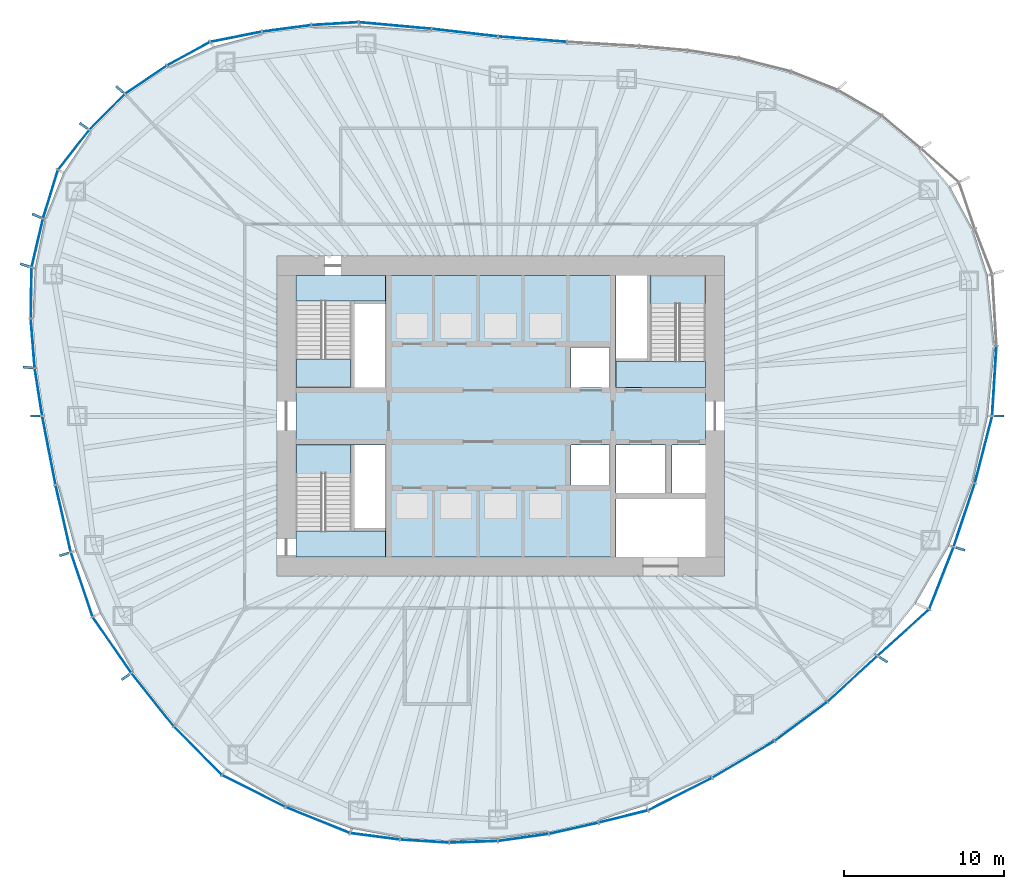
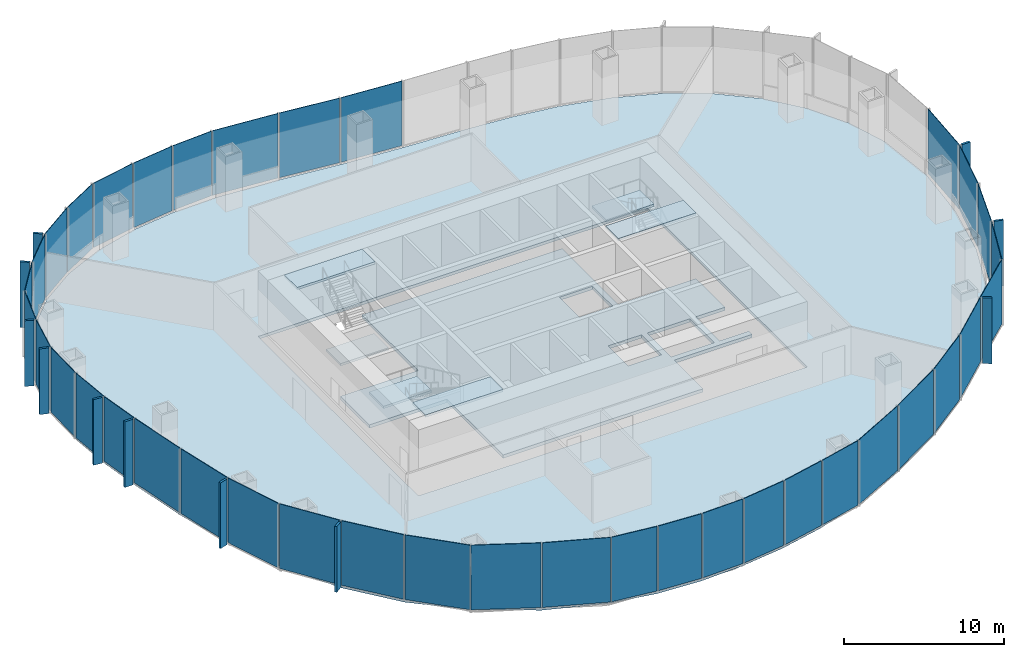
# One storey, part 7 of 18: 49 plates, 8 slabs, 20 elements without a shape of their own.
"""IFC4 building model written with IfcOpenShell, lengths in metres."""

from ifc_helpers import new_model, si_unit, direction, frame, origin, origin_2d, place, context, subcontext, project, spatial, polyline, rectangle, outline, extrude, material, layer, layer_set, type_object, element, aggregate, save


model = new_model("IFC4")

# Units and contexts
model_context = context("Model", 3, precision=1e-05, world=origin(), true_north=direction((0.0, 1.0)))
body_context = subcontext(model_context, "Body", "Model", "MODEL_VIEW")
ifc_project = project(units=[si_unit("LENGTHUNIT", "METRE"), si_unit("AREAUNIT", "SQUARE_METRE"), si_unit("VOLUMEUNIT", "CUBIC_METRE"), si_unit("PLANEANGLEUNIT", "RADIAN"), si_unit("MASSUNIT", "GRAM", prefix="KILO")], contexts=[model_context])

# Site, building, storey
site_placement = place(None, origin())
site = spatial("IfcSite", under=ifc_project, at=site_placement, CompositionType="ELEMENT")
building_placement = place(site_placement, origin())
building = spatial("IfcBuilding", under=site, at=building_placement, Name="Ghaith Harvest Tower", CompositionType="ELEMENT")
storey_placement = place(building_placement, frame((0.0, 0.0, 184.800048828125)))
storey = spatial("IfcBuildingStorey", under=building, at=storey_placement, Name="L40", CompositionType="ELEMENT", Elevation=184.800048828125)

# Curtain wall, plate
ifc_material_1 = material(Name="Black anodised aluminium and fritted glass", Category="aluminium")
curtain_wall_type = type_object("IfcCurtainWallType", Name="CW-S CURTAIN WALL", PredefinedType="NOTDEFINED", material=ifc_material_1)
curtain_wall_1_placement = place(storey_placement, origin())
curtain_wall_1 = element("IfcCurtainWall", 1, at=curtain_wall_1_placement, inside=storey, type_object=curtain_wall_type, Name="Curtain wall CW-S bay 01 L40", PredefinedType="NOTDEFINED")
ifc_material_2 = material(Name="Glass, dark solar-control fritted double glazed unit", Category="glass")
ifc_layer_1 = layer(ifc_material_2, 0.0400390625)
ifc_layer_set_1 = layer_set([ifc_layer_1], Name="CW-S VISION PANEL")
plate_type_1 = type_object("IfcPlateType", Name="CW-S VISION PANEL", PredefinedType="CURTAIN_PANEL", material=ifc_layer_set_1)
plate_1_placement = place(storey_placement, frame((30.86376953125, 2.19482421875, 0.080078125), z_axis=(0.0, 0.0, 1.0), x_axis=(0.061379619468, 0.99811449359, 0.0)))
plate_1 = element("IfcPlate", 2, at=plate_1_placement, type_object=plate_type_1, Name="CW-S glass unit 1 bay 01 L40", PredefinedType="CURTAIN_PANEL", context=body_context, shape_type="SweptSolid", body=[
    extrude(rectangle(XDim=4.318115234375, YDim=0.0400390625, at=origin_2d()), origin(), (0.0, 0.0, 1.0), 4.919921875),
])
aggregate(curtain_wall_1, [plate_1])

curtain_wall_2_placement = place(storey_placement, origin())
curtain_wall_2 = element("IfcCurtainWall", 3, at=curtain_wall_2_placement, inside=storey, type_object=curtain_wall_type, Name="Curtain wall CW-S bay 05 L40", PredefinedType="NOTDEFINED")
plate_2_placement = place(storey_placement, frame((1.9921875, 23.560302734375, 0.080078125), z_axis=(0.0, 0.0, 1.0), x_axis=(-0.996925121312, 0.078360082291, 0.0)))
plate_2 = element("IfcPlate", 4, at=plate_2_placement, type_object=plate_type_1, Name="CW-S glass unit 2 bay 05 L40", PredefinedType="CURTAIN_PANEL", context=body_context, shape_type="SweptSolid", body=[
    extrude(rectangle(XDim=4.242431640625, YDim=0.0400390625, at=origin_2d()), origin(), (0.0, 0.0, 1.0), 4.919921875),
])
aggregate(curtain_wall_2, [plate_2])

# Curtain wall, plates
curtain_wall_3_placement = place(storey_placement, origin())
curtain_wall_3 = element("IfcCurtainWall", 5, at=curtain_wall_3_placement, inside=storey, type_object=curtain_wall_type, Name="Curtain wall CW-S bay 06 L40", PredefinedType="NOTDEFINED")
plate_3_placement = place(storey_placement, frame((-2.24267578125, 23.968505859375, 0.080078125), z_axis=(0.0, 0.0, 1.0), x_axis=(-0.993477024646, 0.114032458099, 0.0)))
plate_3 = element("IfcPlate", 6, at=plate_3_placement, type_object=plate_type_1, Name="CW-S glass unit 1 bay 06 L40", PredefinedType="CURTAIN_PANEL", context=body_context, shape_type="SweptSolid", body=[
    extrude(rectangle(XDim=4.10791015625, YDim=0.0400390625, at=origin_2d()), origin(), (0.0, 0.0, 1.0), 4.919921875),
])
plate_4_placement = place(storey_placement, frame((-6.607666015625, 24.4140625, 0.080078125), z_axis=(0.0, 0.0, 1.0), x_axis=(-0.995928776302, 0.090143621701, 0.0)))
plate_4 = element("IfcPlate", 7, at=plate_4_placement, type_object=plate_type_1, Name="CW-S glass unit 2 bay 06 L40", PredefinedType="CURTAIN_PANEL", context=body_context, shape_type="SweptSolid", body=[
    extrude(rectangle(XDim=4.508056640625, YDim=0.0400390625, at=origin_2d()), origin(), (0.0, 0.0, 1.0), 4.919921875),
])
aggregate(curtain_wall_3, [plate_3, plate_4])

curtain_wall_4_placement = place(storey_placement, origin())
curtain_wall_4 = element("IfcCurtainWall", 8, at=curtain_wall_4_placement, inside=storey, type_object=curtain_wall_type, Name="Curtain wall CW-S bay 07 L40", PredefinedType="NOTDEFINED")
plate_5_placement = place(storey_placement, frame((-10.36669921875, 24.5302734375, 0.080078125), z_axis=(0.0, 0.0, 1.0), x_axis=(-0.998119199641, -0.061303044853, 0.0)))
plate_5 = element("IfcPlate", 9, at=plate_5_placement, type_object=plate_type_1, Name="CW-S glass unit 1 bay 07 L40", PredefinedType="CURTAIN_PANEL", context=body_context, shape_type="SweptSolid", body=[
    extrude(rectangle(XDim=2.874267578125, YDim=0.0400390625, at=origin_2d()), origin(), (0.0, 0.0, 1.0), 4.919921875),
])
plate_6_placement = place(storey_placement, frame((-13.382568359375, 24.23486328125, 0.080078125), z_axis=(0.0, 0.0, 1.0), x_axis=(-0.991285895369, -0.131728029071, 0.0)))
plate_6 = element("IfcPlate", 10, at=plate_6_placement, type_object=plate_type_1, Name="CW-S glass unit 2 bay 07 L40", PredefinedType="CURTAIN_PANEL", context=body_context, shape_type="SweptSolid", body=[
    extrude(rectangle(XDim=3.02978515625, YDim=0.0400390625, at=origin_2d()), origin(), (0.0, 0.0, 1.0), 4.919921875),
])
plate_7_placement = place(storey_placement, frame((-16.54443359375, 23.7099609375, 0.080078125), z_axis=(0.0, 0.0, 1.0), x_axis=(-0.981037550101, -0.193817763096, 0.0)))
plate_7 = element("IfcPlate", 11, at=plate_7_placement, type_object=plate_type_1, Name="CW-S glass unit 3 bay 07 L40", PredefinedType="CURTAIN_PANEL", context=body_context, shape_type="SweptSolid", body=[
    extrude(rectangle(XDim=3.22412109375, YDim=0.0400390625, at=origin_2d()), origin(), (0.0, 0.0, 1.0), 4.919921875),
])
aggregate(curtain_wall_4, [plate_5, plate_6, plate_7])

curtain_wall_5_placement = place(storey_placement, origin())
curtain_wall_5 = element("IfcCurtainWall", 12, at=curtain_wall_5_placement, inside=storey, type_object=curtain_wall_type, Name="Curtain wall CW-S bay 08 L40", PredefinedType="NOTDEFINED")
plate_8_placement = place(storey_placement, frame((-19.520263671875, 22.650634765625, 0.080078125), z_axis=(0.0, 0.0, 1.0), x_axis=(-0.877940384665, -0.478769966659, 0.0)))
plate_8 = element("IfcPlate", 13, at=plate_8_placement, type_object=plate_type_1, Name="CW-S glass unit 1 bay 08 L40", PredefinedType="CURTAIN_PANEL", context=body_context, shape_type="SweptSolid", body=[
    extrude(rectangle(XDim=3.007080078125, YDim=0.0400390625, at=origin_2d()), origin(), (0.0, 0.0, 1.0), 4.919921875),
])
plate_9_placement = place(storey_placement, frame((-22.182373046875, 21.025390625, 0.080078125), z_axis=(0.0, 0.0, 1.0), x_axis=(-0.827674847773, -0.561207935051, 0.0)))
plate_9 = element("IfcPlate", 14, at=plate_9_placement, type_object=plate_type_1, Name="CW-S glass unit 2 bay 08 L40", PredefinedType="CURTAIN_PANEL", context=body_context, shape_type="SweptSolid", body=[
    extrude(rectangle(XDim=3.078369140625, YDim=0.0400390625, at=origin_2d()), origin(), (0.0, 0.0, 1.0), 4.919921875),
])
plate_10_placement = place(storey_placement, frame((-24.603759765625, 19.01708984375, 0.080078125), z_axis=(0.0, 0.0, 1.0), x_axis=(-0.704613943896, -0.709590861037, 0.0)))
plate_10 = element("IfcPlate", 15, at=plate_10_placement, type_object=plate_type_1, Name="CW-S glass unit 3 bay 08 L40", PredefinedType="CURTAIN_PANEL", context=body_context, shape_type="SweptSolid", body=[
    extrude(rectangle(XDim=3.0830078125, YDim=0.0400390625, at=origin_2d()), origin(), (0.0, 0.0, 1.0), 4.919921875),
])
aggregate(curtain_wall_5, [plate_8, plate_9, plate_10])

curtain_wall_6_placement = place(storey_placement, origin())
curtain_wall_6 = element("IfcCurtainWall", 16, at=curtain_wall_6_placement, inside=storey, type_object=curtain_wall_type, Name="Curtain wall CW-S bay 09 L40", PredefinedType="NOTDEFINED")
plate_11_placement = place(storey_placement, frame((-26.69873046875, 16.644775390625, 0.080078125), z_axis=(0.0, 0.0, 1.0), x_axis=(-0.617140806324, -0.786852734106, 0.0)))
plate_11 = element("IfcPlate", 17, at=plate_11_placement, type_object=plate_type_1, Name="CW-S glass unit 1 bay 09 L40", PredefinedType="CURTAIN_PANEL", context=body_context, shape_type="SweptSolid", body=[
    extrude(rectangle(XDim=3.09765625, YDim=0.0400390625, at=origin_2d()), origin(), (0.0, 0.0, 1.0), 4.919921875),
])
plate_12_placement = place(storey_placement, frame((-28.14794921875, 13.869140625, 0.080078125), z_axis=(0.0, 0.0, 1.0), x_axis=(-0.293802674087, -0.955866093498, 0.0)))
plate_12 = element("IfcPlate", 18, at=plate_12_placement, type_object=plate_type_1, Name="CW-S glass unit 2 bay 09 L40", PredefinedType="CURTAIN_PANEL", context=body_context, shape_type="SweptSolid", body=[
    extrude(rectangle(XDim=3.111328125, YDim=0.0400390625, at=origin_2d()), origin(), (0.0, 0.0, 1.0), 4.919921875),
])
plate_13_placement = place(storey_placement, frame((-28.9716796875, 10.819091796875, 0.080078125), z_axis=(0.0, 0.0, 1.0), x_axis=(-0.226698962458, -0.973964876379, 0.0)))
plate_13 = element("IfcPlate", 19, at=plate_13_placement, type_object=plate_type_1, Name="CW-S glass unit 3 bay 09 L40", PredefinedType="CURTAIN_PANEL", context=body_context, shape_type="SweptSolid", body=[
    extrude(rectangle(XDim=3.05126953125, YDim=0.0400390625, at=origin_2d()), origin(), (0.0, 0.0, 1.0), 4.919921875),
])
aggregate(curtain_wall_6, [plate_11, plate_12, plate_13])

curtain_wall_7_placement = place(storey_placement, origin())
curtain_wall_7 = element("IfcCurtainWall", 20, at=curtain_wall_7_placement, inside=storey, type_object=curtain_wall_type, Name="Curtain wall CW-S bay 10 L40", PredefinedType="NOTDEFINED")
plate_14_placement = place(storey_placement, frame((-29.352294921875, 7.695068359375, 0.080078125), z_axis=(0.0, 0.0, 1.0), x_axis=(-0.016034106433, -0.999871445452, 0.0)))
plate_14 = element("IfcPlate", 21, at=plate_14_placement, type_object=plate_type_1, Name="CW-S glass unit 1 bay 10 L40", PredefinedType="CURTAIN_PANEL", context=body_context, shape_type="SweptSolid", body=[
    extrude(rectangle(XDim=3.118408203125, YDim=0.0400390625, at=origin_2d()), origin(), (0.0, 0.0, 1.0), 4.919921875),
])
plate_15_placement = place(storey_placement, frame((-29.25439453125, 4.54345703125, 0.080078125), z_axis=(0.0, 0.0, 1.0), x_axis=(0.079273335663, -0.996852917061, 0.0)))
plate_15 = element("IfcPlate", 22, at=plate_15_placement, type_object=plate_type_1, Name="CW-S glass unit 2 bay 10 L40", PredefinedType="CURTAIN_PANEL", context=body_context, shape_type="SweptSolid", body=[
    extrude(rectangle(XDim=3.035400390625, YDim=0.0400390625, at=origin_2d()), origin(), (0.0, 0.0, 1.0), 4.919921875),
])
plate_16_placement = place(storey_placement, frame((-28.896240234375, 1.495361328125, 0.080078125), z_axis=(0.0, 0.0, 1.0), x_axis=(0.155172175389, -0.987887440949, 0.0)))
plate_16 = element("IfcPlate", 23, at=plate_16_placement, type_object=plate_type_1, Name="CW-S glass unit 3 bay 10 L40", PredefinedType="CURTAIN_PANEL", context=body_context, shape_type="SweptSolid", body=[
    extrude(rectangle(XDim=2.947265625, YDim=0.0400390625, at=origin_2d()), origin(), (0.0, 0.0, 1.0), 4.919921875),
])
aggregate(curtain_wall_7, [plate_14, plate_15, plate_16])

curtain_wall_8_placement = place(storey_placement, origin())
curtain_wall_8 = element("IfcCurtainWall", 24, at=curtain_wall_8_placement, inside=storey, type_object=curtain_wall_type, Name="Curtain wall CW-S bay 11 L40", PredefinedType="NOTDEFINED")
plate_17_placement = place(storey_placement, frame((-28.24462890625, -2.152099609375, 0.080078125), z_axis=(0.0, 0.0, 1.0), x_axis=(0.190044913274, -0.981775397399, 0.0)))
plate_17 = element("IfcPlate", 25, at=plate_17_placement, type_object=plate_type_1, Name="CW-S glass unit 1 bay 11 L40", PredefinedType="CURTAIN_PANEL", context=body_context, shape_type="SweptSolid", body=[
    extrude(rectangle(XDim=4.303955078125, YDim=0.0400390625, at=origin_2d()), origin(), (0.0, 0.0, 1.0), 4.919921875),
])
plate_18_placement = place(storey_placement, frame((-27.351806640625, -6.41064453125, 0.080078125), z_axis=(0.0, 0.0, 1.0), x_axis=(0.220483469245, -0.975390711351, 0.0)))
plate_18 = element("IfcPlate", 26, at=plate_18_placement, type_object=plate_type_1, Name="CW-S glass unit 2 bay 11 L40", PredefinedType="CURTAIN_PANEL", context=body_context, shape_type="SweptSolid", body=[
    extrude(rectangle(XDim=4.239501953125, YDim=0.0400390625, at=origin_2d()), origin(), (0.0, 0.0, 1.0), 4.919921875),
])
aggregate(curtain_wall_8, [plate_17, plate_18])

curtain_wall_9_placement = place(storey_placement, origin())
curtain_wall_9 = element("IfcCurtainWall", 27, at=curtain_wall_9_placement, inside=storey, type_object=curtain_wall_type, Name="Curtain wall CW-S bay 12 L40", PredefinedType="NOTDEFINED")
plate_19_placement = place(storey_placement, frame((-26.194580078125, -10.537841796875, 0.080078125), z_axis=(0.0, 0.0, 1.0), x_axis=(0.319477383729, -0.947593901039, 0.0)))
plate_19 = element("IfcPlate", 28, at=plate_19_placement, type_object=plate_type_1, Name="CW-S glass unit 1 bay 12 L40", PredefinedType="CURTAIN_PANEL", context=body_context, shape_type="SweptSolid", body=[
    extrude(rectangle(XDim=4.184326171875, YDim=0.0400390625, at=origin_2d()), origin(), (0.0, 0.0, 1.0), 4.919921875),
])
plate_20_placement = place(storey_placement, frame((-24.3017578125, -14.312255859375, 0.080078125), z_axis=(0.0, 0.0, 1.0), x_axis=(0.568347699633, -0.822788485774, 0.0)))
plate_20 = element("IfcPlate", 29, at=plate_20_placement, type_object=plate_type_1, Name="CW-S glass unit 2 bay 12 L40", PredefinedType="CURTAIN_PANEL", context=body_context, shape_type="SweptSolid", body=[
    extrude(rectangle(XDim=4.18359375, YDim=0.0400390625, at=origin_2d()), origin(), (0.0, 0.0, 1.0), 4.919921875),
])
aggregate(curtain_wall_9, [plate_19, plate_20])

curtain_wall_10_placement = place(storey_placement, origin())
curtain_wall_10 = element("IfcCurtainWall", 30, at=curtain_wall_10_placement, inside=storey, type_object=curtain_wall_type, Name="Curtain wall CW-S bay 13 L40", PredefinedType="NOTDEFINED")
plate_21_placement = place(storey_placement, frame((-21.765625, -17.7314453125, 0.080078125), z_axis=(0.0, 0.0, 1.0), x_axis=(0.622507360482, -0.782613944513, 0.0)))
plate_21 = element("IfcPlate", 31, at=plate_21_placement, type_object=plate_type_1, Name="CW-S glass unit 1 bay 13 L40", PredefinedType="CURTAIN_PANEL", context=body_context, shape_type="SweptSolid", body=[
    extrude(rectangle(XDim=4.175537109375, YDim=0.0400390625, at=origin_2d()), origin(), (0.0, 0.0, 1.0), 4.919921875),
])
plate_22_placement = place(storey_placement, frame((-18.935791015625, -20.920166015625, 0.080078125), z_axis=(0.0, 0.0, 1.0), x_axis=(0.702843151286, -0.711344856375, 0.0)))
plate_22 = element("IfcPlate", 32, at=plate_22_placement, type_object=plate_type_1, Name="CW-S glass unit 2 bay 13 L40", PredefinedType="CURTAIN_PANEL", context=body_context, shape_type="SweptSolid", body=[
    extrude(rectangle(XDim=4.203369140625, YDim=0.0400390625, at=origin_2d()), origin(), (0.0, 0.0, 1.0), 4.919921875),
])
aggregate(curtain_wall_10, [plate_21, plate_22])

curtain_wall_11_placement = place(storey_placement, origin())
curtain_wall_11 = element("IfcCurtainWall", 33, at=curtain_wall_11_placement, inside=storey, type_object=curtain_wall_type, Name="Curtain wall CW-S bay 14 L40", PredefinedType="NOTDEFINED")
plate_23_placement = place(storey_placement, frame((-15.44677734375, -23.443115234375, 0.080078125), z_axis=(0.0, 0.0, 1.0), x_axis=(0.893062297869, -0.449933030712, 0.0)))
plate_23 = element("IfcPlate", 34, at=plate_23_placement, type_object=plate_type_1, Name="CW-S glass unit 1 bay 14 L40", PredefinedType="CURTAIN_PANEL", context=body_context, shape_type="SweptSolid", body=[
    extrude(rectangle(XDim=4.362548828125, YDim=0.0400390625, at=origin_2d()), origin(), (0.0, 0.0, 1.0), 4.919921875),
])
plate_24_placement = place(storey_placement, frame((-11.441162109375, -25.260498046875, 0.080078125), z_axis=(0.0, 0.0, 1.0), x_axis=(0.927002522537, -0.375055093567, 0.0)))
plate_24 = element("IfcPlate", 35, at=plate_24_placement, type_object=plate_type_1, Name="CW-S glass unit 2 bay 14 L40", PredefinedType="CURTAIN_PANEL", context=body_context, shape_type="SweptSolid", body=[
    extrude(rectangle(XDim=4.282470703125, YDim=0.0400390625, at=origin_2d()), origin(), (0.0, 0.0, 1.0), 4.919921875),
])
aggregate(curtain_wall_11, [plate_23, plate_24])

curtain_wall_12_placement = place(storey_placement, origin())
curtain_wall_12 = element("IfcCurtainWall", 36, at=curtain_wall_12_placement, inside=storey, type_object=curtain_wall_type, Name="Curtain wall CW-S bay 15 L40", PredefinedType="NOTDEFINED")
plate_25_placement = place(storey_placement, frame((-7.856689453125, -26.281005859375, 0.080078125), z_axis=(0.0, 0.0, 1.0), x_axis=(0.99172348392, -0.128392100386, 0.0)))
plate_25 = element("IfcPlate", 37, at=plate_25_placement, type_object=plate_type_1, Name="CW-S glass unit 1 bay 15 L40", PredefinedType="CURTAIN_PANEL", context=body_context, shape_type="SweptSolid", body=[
    extrude(rectangle(XDim=3.07080078125, YDim=0.0400390625, at=origin_2d()), origin(), (0.0, 0.0, 1.0), 4.919921875),
])
plate_26_placement = place(storey_placement, frame((-4.7568359375, -26.57958984375, 0.080078125), z_axis=(0.0, 0.0, 1.0), x_axis=(0.998038280843, -0.062606628824, 0.0)))
plate_26 = element("IfcPlate", 38, at=plate_26_placement, type_object=plate_type_1, Name="CW-S glass unit 2 bay 15 L40", PredefinedType="CURTAIN_PANEL", context=body_context, shape_type="SweptSolid", body=[
    extrude(rectangle(XDim=3.001220703125, YDim=0.0400390625, at=origin_2d()), origin(), (0.0, 0.0, 1.0), 4.919921875),
])
plate_27_placement = place(storey_placement, frame((-1.700439453125, -26.624755859375, 0.080078125), z_axis=(0.0, 0.0, 1.0), x_axis=(0.999431515426, 0.033714180603, 0.0)))
plate_27 = element("IfcPlate", 39, at=plate_27_placement, type_object=plate_type_1, Name="CW-S glass unit 3 bay 15 L40", PredefinedType="CURTAIN_PANEL", context=body_context, shape_type="SweptSolid", body=[
    extrude(rectangle(XDim=2.958984375, YDim=0.0400390625, at=origin_2d()), origin(), (0.0, 0.0, 1.0), 4.919921875),
])
aggregate(curtain_wall_12, [plate_25, plate_26, plate_27])

curtain_wall_13_placement = place(storey_placement, origin())
curtain_wall_13 = element("IfcCurtainWall", 40, at=curtain_wall_13_placement, inside=storey, type_object=curtain_wall_type, Name="Curtain wall CW-S bay 16 L40", PredefinedType="NOTDEFINED")
plate_28_placement = place(storey_placement, frame((1.4140625, -26.3515625, 0.080078125), z_axis=(0.0, 0.0, 1.0), x_axis=(0.990448098003, 0.137886058621, 0.0)))
plate_28 = element("IfcPlate", 41, at=plate_28_placement, type_object=plate_type_1, Name="CW-S glass unit 1 bay 16 L40", PredefinedType="CURTAIN_PANEL", context=body_context, shape_type="SweptSolid", body=[
    extrude(rectangle(XDim=3.142578125, YDim=0.0400390625, at=origin_2d()), origin(), (0.0, 0.0, 1.0), 4.919921875),
])
plate_29_placement = place(storey_placement, frame((4.565185546875, -25.77734375, 0.080078125), z_axis=(0.0, 0.0, 1.0), x_axis=(0.975341754172, 0.220699937852, 0.0)))
plate_29 = element("IfcPlate", 42, at=plate_29_placement, type_object=plate_type_1, Name="CW-S glass unit 2 bay 16 L40", PredefinedType="CURTAIN_PANEL", context=body_context, shape_type="SweptSolid", body=[
    extrude(rectangle(XDim=3.10888671875, YDim=0.0400390625, at=origin_2d()), origin(), (0.0, 0.0, 1.0), 4.919921875),
])
plate_30_placement = place(storey_placement, frame((7.66845703125, -25.0400390625, 0.080078125), z_axis=(0.0, 0.0, 1.0), x_axis=(0.970384283801, 0.241566433413, 0.0)))
plate_30 = element("IfcPlate", 43, at=plate_30_placement, type_object=plate_type_1, Name="CW-S glass unit 3 bay 16 L40", PredefinedType="CURTAIN_PANEL", context=body_context, shape_type="SweptSolid", body=[
    extrude(rectangle(XDim=3.111083984375, YDim=0.0400390625, at=origin_2d()), origin(), (0.0, 0.0, 1.0), 4.919921875),
])
aggregate(curtain_wall_13, [plate_28, plate_29, plate_30])

curtain_wall_14_placement = place(storey_placement, origin())
curtain_wall_14 = element("IfcCurtainWall", 44, at=curtain_wall_14_placement, inside=storey, type_object=curtain_wall_type, Name="Curtain wall CW-S bay 17 L40", PredefinedType="NOTDEFINED")
plate_31_placement = place(storey_placement, frame((11.220703125, -23.63427734375, 0.080078125), z_axis=(0.0, 0.0, 1.0), x_axis=(0.891126766056, 0.453754434489, 0.0)))
plate_31 = element("IfcPlate", 45, at=plate_31_placement, type_object=plate_type_1, Name="CW-S glass unit 1 bay 17 L40", PredefinedType="CURTAIN_PANEL", context=body_context, shape_type="SweptSolid", body=[
    extrude(rectangle(XDim=4.417236328125, YDim=0.0400390625, at=origin_2d()), origin(), (0.0, 0.0, 1.0), 4.919921875),
])
plate_32_placement = place(storey_placement, frame((15.17822265625, -21.46484375, 0.080078125), z_axis=(0.0, 0.0, 1.0), x_axis=(0.861979497965, 0.506943137924, 0.0)))
plate_32 = element("IfcPlate", 46, at=plate_32_placement, type_object=plate_type_1, Name="CW-S glass unit 2 bay 17 L40", PredefinedType="CURTAIN_PANEL", context=body_context, shape_type="SweptSolid", body=[
    extrude(rectangle(XDim=4.453125, YDim=0.0400390625, at=origin_2d()), origin(), (0.0, 0.0, 1.0), 4.919921875),
])
aggregate(curtain_wall_14, [plate_31, plate_32])

curtain_wall_15_placement = place(storey_placement, origin())
curtain_wall_15 = element("IfcCurtainWall", 47, at=curtain_wall_15_placement, inside=storey, type_object=curtain_wall_type, Name="Curtain wall CW-S bay 18 L40", PredefinedType="NOTDEFINED")
plate_33_placement = place(storey_placement, frame((18.78076171875, -19.08984375, 0.080078125), z_axis=(0.0, 0.0, 1.0), x_axis=(0.802462370117, 0.596702727115, 0.0)))
plate_33 = element("IfcPlate", 48, at=plate_33_placement, type_object=plate_type_1, Name="CW-S glass unit 1 bay 18 L40", PredefinedType="CURTAIN_PANEL", context=body_context, shape_type="SweptSolid", body=[
    extrude(rectangle(XDim=4.029541015625, YDim=0.0400390625, at=origin_2d()), origin(), (0.0, 0.0, 1.0), 4.919921875),
])
plate_34_placement = place(storey_placement, frame((21.9951171875, -16.428955078125, 0.080078125), z_axis=(0.0, 0.0, 1.0), x_axis=(0.737201663563, 0.675672781189, 0.0)))
plate_34 = element("IfcPlate", 49, at=plate_34_placement, type_object=plate_type_1, Name="CW-S glass unit 2 bay 18 L40", PredefinedType="CURTAIN_PANEL", context=body_context, shape_type="SweptSolid", body=[
    extrude(rectangle(XDim=4.1669921875, YDim=0.0400390625, at=origin_2d()), origin(), (0.0, 0.0, 1.0), 4.919921875),
])
aggregate(curtain_wall_15, [plate_33, plate_34])

curtain_wall_16_placement = place(storey_placement, origin())
curtain_wall_16 = element("IfcCurtainWall", 50, at=curtain_wall_16_placement, inside=storey, type_object=curtain_wall_type, Name="Curtain wall CW-S bay 19 L40", PredefinedType="NOTDEFINED")
plate_35_placement = place(storey_placement, frame((25.17333984375, -13.54345703125, 0.080078125), z_axis=(0.0, 0.0, 1.0), x_axis=(0.743493028761, 0.668743684968, 0.0)))
plate_35 = element("IfcPlate", 51, at=plate_35_placement, type_object=plate_type_1, Name="CW-S glass unit 1 bay 19 L40", PredefinedType="CURTAIN_PANEL", context=body_context, shape_type="SweptSolid", body=[
    extrude(rectangle(XDim=4.2587890625, YDim=0.0400390625, at=origin_2d()), origin(), (0.0, 0.0, 1.0), 4.919921875),
])
plate_36_placement = place(storey_placement, frame((27.552978515625, -10.138916015625, 0.080078125), z_axis=(0.0, 0.0, 1.0), x_axis=(0.365226458984, 0.930918704108, 0.0)))
plate_36 = element("IfcPlate", 52, at=plate_36_placement, type_object=plate_type_1, Name="CW-S glass unit 2 bay 19 L40", PredefinedType="CURTAIN_PANEL", context=body_context, shape_type="SweptSolid", body=[
    extrude(rectangle(XDim=4.11767578125, YDim=0.0400390625, at=origin_2d()), origin(), (0.0, 0.0, 1.0), 4.919921875),
])
aggregate(curtain_wall_16, [plate_35, plate_36])

curtain_wall_17_placement = place(storey_placement, origin())
curtain_wall_17 = element("IfcCurtainWall", 53, at=curtain_wall_17_placement, inside=storey, type_object=curtain_wall_type, Name="Curtain wall CW-S bay 20 L40", PredefinedType="NOTDEFINED")
plate_37_placement = place(storey_placement, frame((28.982666015625, -6.191650390625, 0.080078125), z_axis=(0.0, 0.0, 1.0), x_axis=(0.315708038084, 0.948856382541, 0.0)))
plate_37 = element("IfcPlate", 54, at=plate_37_placement, type_object=plate_type_1, Name="CW-S glass unit 1 bay 20 L40", PredefinedType="CURTAIN_PANEL", context=body_context, shape_type="SweptSolid", body=[
    extrude(rectangle(XDim=4.12158203125, YDim=0.0400390625, at=origin_2d()), origin(), (0.0, 0.0, 1.0), 4.919921875),
])
plate_38_placement = place(storey_placement, frame((30.187255859375, -2.09912109375, 0.080078125), z_axis=(0.0, 0.0, 1.0), x_axis=(0.24974411022, 0.968311870944, 0.0)))
plate_38 = element("IfcPlate", 55, at=plate_38_placement, type_object=plate_type_1, Name="CW-S glass unit 2 bay 20 L40", PredefinedType="CURTAIN_PANEL", context=body_context, shape_type="SweptSolid", body=[
    extrude(rectangle(XDim=4.255615234375, YDim=0.0400390625, at=origin_2d()), origin(), (0.0, 0.0, 1.0), 4.919921875),
])
aggregate(curtain_wall_17, [plate_37, plate_38])

# Slabs
ifc_material_3 = material(Name="Concrete C40/50", Category="concrete")
ifc_layer_2 = layer(ifc_material_3, 0.22509765625)
ifc_layer_set_2 = layer_set([ifc_layer_2], Name="FLOOR SLAB 225")
slab_type_1 = type_object("IfcSlabType", Name="FLOOR SLAB 225", PredefinedType="FLOOR", material=ifc_layer_set_2)
slab_1_placement = place(storey_placement, frame((0.0, 0.0, -0.22509765625)))
element("IfcSlab", 56, at=slab_1_placement, inside=storey, type_object=slab_type_1, Name="Floor slab L40", PredefinedType="FLOOR", context=body_context, shape_type="SweptSolid", body=[
    extrude(outline(polyline([(30.458740234375, 0.0), (30.8798828125, 4.373046875), (30.439208984375, 8.797607421875), (29.52294921875, 11.671875), (28.0888671875, 14.32568359375), (26.179443359375, 16.660888671875), (23.7275390625, 18.718017578125), (20.97998046875, 20.3056640625), (18.0849609375, 21.4462890625), (14.79833984375, 22.27978515625), (11.617919921875, 22.757080078125), (8.604736328125, 23.017333984375), (4.125732421875, 23.272705078125), (-0.16162109375, 23.609619140625), (-4.302001953125, 24.089111328125), (-8.814208984375, 24.404541015625), (-11.788818359375, 24.331787109375), (-14.860595703125, 23.927978515625), (-17.938232421875, 23.097412109375), (-20.79248046875, 21.82470703125), (-23.398193359375, 20.06103515625), (-25.61962890625, 17.826416015625), (-27.33837890625, 15.204833984375), (-28.506591796875, 12.29638671875), (-29.12646484375, 9.230712890625), (-29.260498046875, 6.07177734375), (-29.01171875, 2.978271484375), (-28.541259765625, 0.0), (-27.70947265625, -4.285888671875), (-26.580078125, -8.423583984375), (-25.046875, -12.32861328125), (-22.99169921875, -15.997802734375), (-20.35400390625, -19.31396484375), (-17.1728515625, -22.11181640625), (-13.4052734375, -24.33740234375), (-9.317138671875, -25.79638671875), (-6.2666015625, -26.366455078125), (-3.204833984375, -26.556884765625), (-0.180908203125, -26.423583984375), (2.99609375, -26.010009765625), (6.09228515625, -25.308837890625), (9.09423828125, -24.326904296875), (13.163818359375, -22.510498046875), (17.054443359375, -20.22412109375), (20.33935546875, -17.784912109375), (23.400390625, -14.89208984375), (25.94775390625, -11.714111328125), (28.03125, -8.1015625), (29.527099609375, -4.181396484375), (30.458740234375, 0.0)]), holes=[polyline([(-14.0, -10.0), (14.0, -10.0), (14.0, 10.0), (-14.0, 10.0), (-14.0, -10.0)])]), origin(), (0.0, 0.0, 1.0), 0.22509765625),
])
ifc_material_4 = material(Name="Concrete C40/50", Category="concrete")
ifc_layer_3 = layer(ifc_material_4, 0.25)
ifc_layer_set_3 = layer_set([ifc_layer_3], Name="FLOOR SLAB 250")
slab_type_2 = type_object("IfcSlabType", Name="FLOOR SLAB 250", PredefinedType="FLOOR", material=ifc_layer_set_3)
slab_2_placement = place(storey_placement, frame((0.0, 0.0, -0.25)))
element("IfcSlab", 57, at=slab_2_placement, inside=storey, type_object=slab_type_2, Name="Core slab L40", PredefinedType="FLOOR", context=body_context, shape_type="SweptSolid", body=[
    extrude(outline(polyline([(-12.800048828125, 1.800048828125), (-7.199951171875, 1.800048828125), (-7.199951171875, 8.800048828125), (7.199951171875, 8.800048828125), (7.199951171875, 1.800048828125), (12.800048828125, 1.800048828125), (12.800048828125, -1.800048828125), (10.699951171875, -1.800048828125), (10.699951171875, -4.800048828125), (12.800048828125, -4.800048828125), (12.800048828125, -5.199951171875), (7.199951171875, -5.199951171875), (7.199951171875, -8.800048828125), (-7.199951171875, -8.800048828125), (-7.199951171875, -1.800048828125), (-12.800048828125, -1.800048828125), (-12.800048828125, 1.800048828125)]), holes=[polyline([(10.300048828125, -1.800048828125), (7.199951171875, -1.800048828125), (7.199951171875, -4.800048828125), (10.300048828125, -4.800048828125), (10.300048828125, -1.800048828125)]), polyline([(6.800048828125, -1.800048828125), (4.39990234375, -1.800048828125), (4.39990234375, -4.300048828125), (6.800048828125, -4.300048828125), (6.800048828125, -1.800048828125)]), polyline([(6.800048828125, 4.300048828125), (4.39990234375, 4.300048828125), (4.39990234375, 1.800048828125), (6.800048828125, 1.800048828125), (6.800048828125, 4.300048828125)])]), origin(), (0.0, 0.0, 1.0), 0.25),
])

# Stair, slabs
ifc_material_5 = material(Name="Concrete C40/50, precast", Category="concrete")
stair_type = type_object("IfcStairType", Name="CORE STAIR 28R", PredefinedType="HALF_TURN_STAIR", material=ifc_material_5)
stair_1_placement = place(storey_placement, origin())
stair_1 = element("IfcStair", 58, at=stair_1_placement, inside=storey, type_object=stair_type, Name="Stair ST1 L40", PredefinedType="HALF_TURN_STAIR")
ifc_material_6 = material(Name="Concrete C40/50, precast", Category="concrete")
ifc_layer_4 = layer(ifc_material_6, 0.179931640625)
ifc_layer_set_4 = layer_set([ifc_layer_4], Name="STAIR LANDING 180")
slab_type_3 = type_object("IfcSlabType", Name="STAIR LANDING 180", PredefinedType="LANDING", material=ifc_layer_set_4)
slab_3_placement = place(storey_placement, frame((0.0, 0.0, 2.320068359375)))
slab_3 = element("IfcSlab", 59, at=slab_3_placement, type_object=slab_type_3, Name="ST1 landing 1", PredefinedType="LANDING", context=body_context, shape_type="SweptSolid", body=[
    extrude(outline(polyline([(-12.800048828125, 3.580078125), (-12.800048828125, 1.77490234375), (-9.35009765625, 1.77490234375), (-9.35009765625, 3.580078125), (-12.800048828125, 3.580078125)])), origin(), (0.0, 0.0, 1.0), 0.179931640625),
])
slab_4_placement = place(storey_placement, frame((0.0, 0.0, 4.820068359375)))
slab_4 = element("IfcSlab", 60, at=slab_4_placement, type_object=slab_type_3, Name="ST1 landing 2", PredefinedType="LANDING", context=body_context, shape_type="SweptSolid", body=[
    extrude(outline(polyline([(-12.800048828125, 8.800048828125), (-12.800048828125, 7.199951171875), (-7.199951171875, 7.199951171875), (-7.199951171875, 8.800048828125), (-12.800048828125, 8.800048828125)])), origin(), (0.0, 0.0, 1.0), 0.179931640625),
])
aggregate(stair_1, [slab_3, slab_4])

stair_2_placement = place(storey_placement, origin())
stair_2 = element("IfcStair", 61, at=stair_2_placement, inside=storey, type_object=stair_type, Name="Stair ST3 L40", PredefinedType="HALF_TURN_STAIR")
slab_5_placement = place(storey_placement, frame((0.0, 0.0, 2.320068359375)))
slab_5 = element("IfcSlab", 62, at=slab_5_placement, type_object=slab_type_3, Name="ST3 landing 1", PredefinedType="LANDING", context=body_context, shape_type="SweptSolid", body=[
    extrude(outline(polyline([(-12.800048828125, -3.580078125), (-12.800048828125, -1.77490234375), (-9.35009765625, -1.77490234375), (-9.35009765625, -3.580078125), (-12.800048828125, -3.580078125)])), origin(), (0.0, 0.0, 1.0), 0.179931640625),
])
slab_6_placement = place(storey_placement, frame((0.0, 0.0, 4.820068359375)))
slab_6 = element("IfcSlab", 63, at=slab_6_placement, type_object=slab_type_3, Name="ST3 landing 2", PredefinedType="LANDING", context=body_context, shape_type="SweptSolid", body=[
    extrude(outline(polyline([(-12.800048828125, -8.800048828125), (-12.800048828125, -7.199951171875), (-7.199951171875, -7.199951171875), (-7.199951171875, -8.800048828125), (-12.800048828125, -8.800048828125)])), origin(), (0.0, 0.0, 1.0), 0.179931640625),
])
aggregate(stair_2, [slab_5, slab_6])

stair_3_placement = place(storey_placement, origin())
stair_3 = element("IfcStair", 64, at=stair_3_placement, inside=storey, type_object=stair_type, Name="Stair ST2 L40", PredefinedType="HALF_TURN_STAIR")
slab_7_placement = place(storey_placement, frame((0.0, 0.0, 2.320068359375)))
slab_7 = element("IfcSlab", 65, at=slab_7_placement, type_object=slab_type_3, Name="ST2 landing 1", PredefinedType="LANDING", context=body_context, shape_type="SweptSolid", body=[
    extrude(outline(polyline([(12.800048828125, 7.02001953125), (12.800048828125, 8.800048828125), (9.35009765625, 8.800048828125), (9.35009765625, 7.02001953125), (12.800048828125, 7.02001953125)])), origin(), (0.0, 0.0, 1.0), 0.179931640625),
])
slab_8_placement = place(storey_placement, frame((0.0, 0.0, 4.820068359375)))
slab_8 = element("IfcSlab", 66, at=slab_8_placement, type_object=slab_type_3, Name="ST2 landing 2", PredefinedType="LANDING", context=body_context, shape_type="SweptSolid", body=[
    extrude(outline(polyline([(12.800048828125, 1.800048828125), (12.800048828125, 3.39990234375), (7.199951171875, 3.39990234375), (7.199951171875, 1.800048828125), (12.800048828125, 1.800048828125)])), origin(), (0.0, 0.0, 1.0), 0.179931640625),
])
aggregate(stair_3, [slab_7, slab_8])

# Plates
ifc_material_7 = material(Name="Glassfibre-reinforced concrete", Category="concrete")
ifc_layer_5 = layer(ifc_material_7, 0.14990234375)
ifc_layer_set_5 = layer_set([ifc_layer_5], Name="SUN-BREAKER FIN 600x150")
plate_type_2 = type_object("IfcPlateType", Name="SUN-BREAKER FIN 600x150", PredefinedType="USERDEFINED", material=ifc_layer_set_5)
for number, where, z_axis, x_axis, name in (
    (67, (31.168701171875, 0.0, 0.0), (0.0, 0.0, 1.0), (1.0, 0.0, 0.0), "Sun-breaker fin CW-S 1 bay 01 L40"),
    (68, (-23.823486328125, 20.425537109375, 0.0), (0.0, 0.0, 1.0), (-0.759169742643, 0.650892696115, 0.0), "Sun-breaker fin CW-S 3 bay 08 L40"),
    (69, (-26.079345703125, 18.146240234375, 0.0), (0.0, 0.0, 1.0), (-0.820845486523, 0.571150319316, 0.0), "Sun-breaker fin CW-S 1 bay 09 L40"),
    (70, (-29.020751953125, 12.518310546875, 0.0), (0.0, 0.0, 1.0), (-0.918217993215, 0.396075392995, 0.0), "Sun-breaker fin CW-S 3 bay 09 L40"),
    (71, (-29.74609375, 9.427001953125, 0.0), (0.0, 0.0, 1.0), (-0.953273219358, 0.302109531884, 0.0), "Sun-breaker fin CW-S 1 bay 10 L40"),
    (72, (-29.568603515625, 3.035400390625, 0.0), (0.0, 0.0, 1.0), (-0.994771752973, 0.102123256344, 0.0), "Sun-breaker fin CW-S 3 bay 10 L40"),
    (73, (-29.101318359375, 0.0, 0.0), (0.0, 0.0, 1.0), (-1.0, -4.19e-10, 0.0), "Sun-breaker fin CW-S 1 bay 11 L40"),
    (74, (-27.295166015625, -8.650390625, 0.0), (0.0, 0.0, 1.0), (-0.953273219416, -0.302109531701, 0.0), "Sun-breaker fin CW-S 1 bay 12 L40"),
    (75, (-23.451416015625, -16.317626953125, 0.0), (0.0, 0.0, 1.0), (-0.820845486622, -0.571150319173, 0.0), "Sun-breaker fin CW-S 1 bay 13 L40"),
    (76, (23.931884765625, -15.23046875, 0.0), (0.0, 0.0, 1.0), (0.84364397137, -0.536903016913, 0.0), "Sun-breaker fin CW-S 1 bay 19 L40"),
    (77, (28.7421875, -8.30712890625, 0.0), (0.0, 0.0, 1.0), (0.960680349932, -0.277656739976, 0.0), "Sun-breaker fin CW-S 1 bay 20 L40"),
):
    element("IfcPlate", number, at=place(storey_placement, frame(where, z_axis=z_axis, x_axis=x_axis)), inside=storey, type_object=plate_type_2, Name=name, ObjectType="SUN-BREAKER FIN", PredefinedType="USERDEFINED", context=body_context, shape_type="SweptSolid", body=[
        extrude(rectangle(XDim=0.60009765625, YDim=0.14990234375, at=origin_2d()), origin(), (0.0, 0.0, 1.0), 5.0),
    ])

save(model, "model.ifc")
